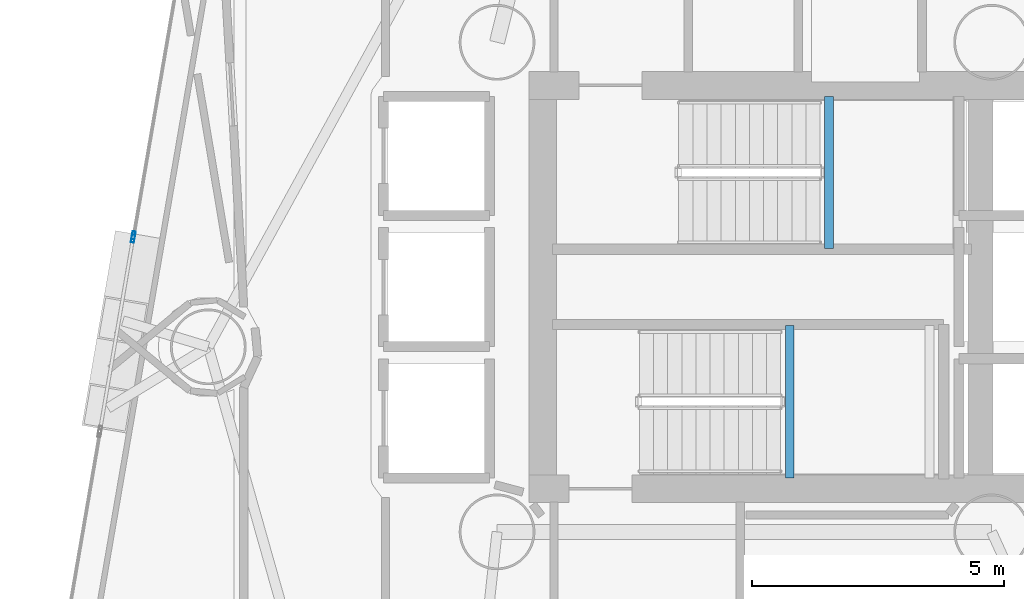
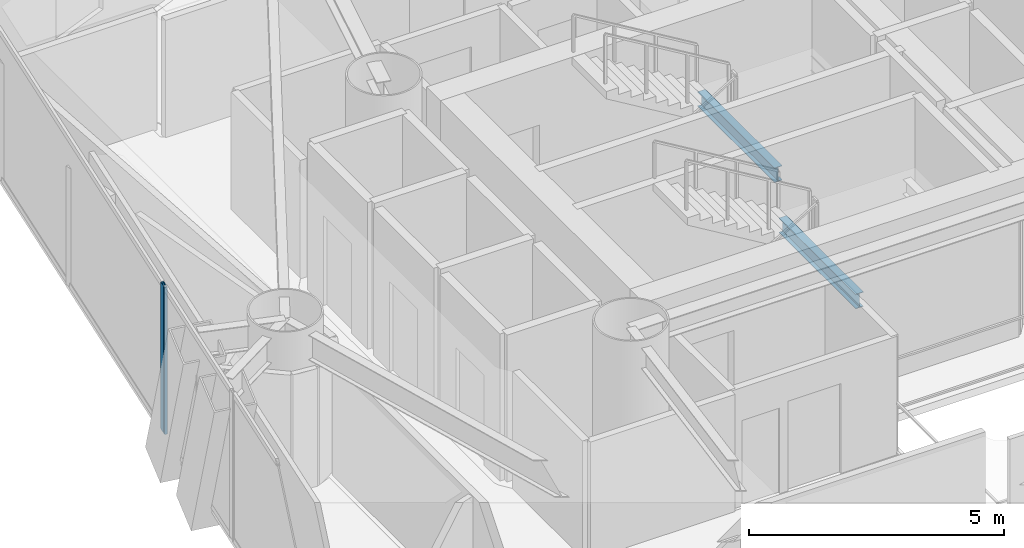
# One storey, part 8 of 21: 2 beams, 2 members, 2 elements without a shape of their own.
"""IFC4 building model written with IfcOpenShell, lengths in metres."""

from ifc_helpers import new_model, si_unit, direction, frame, origin, origin_2d, place, context, subcontext, project, spatial, hollow_rectangle, i_section, extrude, material, layer, layer_set, material_profile, profile_set, type_object, element, aggregate, save


model = new_model("IFC4")

# Units and contexts
model_context = context("Model", 3, precision=1e-05, world=origin(), true_north=direction((0.0, 1.0)))
body_context = subcontext(model_context, "Body", "Model", "MODEL_VIEW")
ifc_project = project(units=[si_unit("LENGTHUNIT", "METRE"), si_unit("AREAUNIT", "SQUARE_METRE"), si_unit("VOLUMEUNIT", "CUBIC_METRE"), si_unit("PLANEANGLEUNIT", "RADIAN"), si_unit("MASSUNIT", "GRAM", prefix="KILO")], contexts=[model_context])

# Site, building, storey
site_placement = place(None, origin())
site = spatial("IfcSite", under=ifc_project, at=site_placement, CompositionType="ELEMENT")
building_placement = place(site_placement, origin())
building = spatial("IfcBuilding", under=site, at=building_placement, Name="Qianvela Tower", CompositionType="ELEMENT")
storey_placement = place(building_placement, frame((0.0, 0.0, 108.89990234375)))
storey = spatial("IfcBuildingStorey", under=building, at=storey_placement, Name="L27", CompositionType="ELEMENT", Elevation=108.89990234375)

# Beams
ifc_material_1 = material(Name="Steel Q355B", Category="steel")
ifc_material_profile_1 = material_profile(ifc_material_1, i_section(OverallWidth=0.175048828125, OverallDepth=0.35009765625, WebThickness=0.007080078125, FlangeThickness=0.010986328125, at=origin_2d()), Name="HN350x175x7x11")
ifc_profile_set_1 = profile_set([ifc_material_profile_1], Name="Steel Q355B")
beam_type = type_object("IfcBeamType", Name="BM-HN350-JOIST", PredefinedType="JOIST", material=ifc_profile_set_1)
for number, where, z_axis, x_axis, name in (
    (1, (35.179931640625, 29.4599609375, 1.47509765625), (0.0, 1.0, 0.0), (-1.0, 0.0, 0.0), "L27 Stair ST-1 Landing Support Beam 1.1"),
    (2, (34.39990234375, 24.919921875, 1.47509765625), (0.0, 1.0, 0.0), (-1.0, 0.0, 0.0), "L27 Stair ST-2 Landing Support Beam 1.1"),
):
    element("IfcBeam", number, at=place(storey_placement, frame(where, z_axis=z_axis, x_axis=x_axis)), inside=storey, type_object=beam_type, Name=name, PredefinedType="JOIST", context=body_context, shape_type="SweptSolid", body=[
        extrude(i_section(OverallWidth=0.175048828125, OverallDepth=0.35009765625, WebThickness=0.007080078125, FlangeThickness=0.010986328125, at=origin_2d()), origin(), (0.0, 0.0, 1.0), 3.02001953125),
    ])

# Curtain wall, member
ifc_material_2 = material(Name="Anodised Architectural Aluminium and Insulated Spandrel Panel", Category="aluminium")
ifc_layer_1 = layer(ifc_material_2, 0.179931640625)
ifc_layer_set_1 = layer_set([ifc_layer_1], Name="Anodised Architectural Aluminium and Insulated Spandrel Panel")
curtain_wall_type_1 = type_object("IfcCurtainWallType", Name="CW-BRACEBAY", PredefinedType="USERDEFINED", material=ifc_layer_set_1)
curtain_wall_1_placement = place(storey_placement, origin())
curtain_wall_1 = element("IfcCurtainWall", 3, at=curtain_wall_1_placement, inside=storey, type_object=curtain_wall_type_1, Name="L27 CW-BRACEBAY Curtain Wall 04B", ObjectType="CURTAIN_WALL_SYSTEM", PredefinedType="USERDEFINED")
ifc_material_3 = material(Name="Anodised Architectural Aluminium 6063-T6", Category="aluminium")
ifc_material_profile_2 = material_profile(ifc_material_3, hollow_rectangle(XDim=0.06494140625, YDim=0.159912109375, WallThickness=0.0048828125, at=origin_2d()), Name="ALU-MULL-65x160")
ifc_profile_set_2 = profile_set([ifc_material_profile_2], Name="Anodised Architectural Aluminium 6063-T6")
member_type_1 = type_object("IfcMemberType", Name="CW-BRACEBAY-MULL", PredefinedType="MULLION", material=ifc_profile_set_2)
member_1_placement = place(storey_placement, frame((21.386962890625, 29.6611328125, 0.0), z_axis=(0.0, 0.0, 1.0), x_axis=(0.985527668132, -0.169514646408, 0.0)))
member_1 = element("IfcMember", 4, at=member_1_placement, type_object=member_type_1, Name="CW-9 mullion 1", PredefinedType="MULLION", context=body_context, shape_type="SweptSolid", body=[
    extrude(hollow_rectangle(XDim=0.06494140625, YDim=0.159912109375, WallThickness=0.0048828125, at=origin_2d()), origin(), (0.0, 0.0, 1.0), 3.52001953125),
])
aggregate(curtain_wall_1, [member_1])

ifc_material_4 = material(Name="Anodised Architectural Aluminium and Low-E Glass", Category="aluminium")
ifc_layer_2 = layer(ifc_material_4, 0.169921875)
ifc_layer_set_2 = layer_set([ifc_layer_2], Name="Anodised Architectural Aluminium and Low-E Glass")
curtain_wall_type_2 = type_object("IfcCurtainWallType", Name="CW-COLIV-Z34", PredefinedType="USERDEFINED", material=ifc_layer_set_2)
curtain_wall_2_placement = place(storey_placement, origin())
curtain_wall_2 = element("IfcCurtainWall", 5, at=curtain_wall_2_placement, inside=storey, type_object=curtain_wall_type_2, Name="L27 CW-COLIV-Z34 Curtain Wall 04A", ObjectType="CURTAIN_WALL_SYSTEM", PredefinedType="USERDEFINED")
ifc_material_5 = material(Name="Anodised Architectural Aluminium 6063-T6", Category="aluminium")
ifc_material_profile_3 = material_profile(ifc_material_5, hollow_rectangle(XDim=0.06494140625, YDim=0.159912109375, WallThickness=0.0048828125, at=origin_2d()), Name="ALU-MULL-65x160")
ifc_profile_set_3 = profile_set([ifc_material_profile_3], Name="Anodised Architectural Aluminium 6063-T6")
member_type_2 = type_object("IfcMemberType", Name="CW-COLIV-Z34-MULL", PredefinedType="MULLION", material=ifc_profile_set_3)
member_2_placement = place(storey_placement, frame((21.39794921875, 29.72509765625, 0.0), z_axis=(0.0, 0.0, 1.0), x_axis=(0.985526626885, -0.169520699916, 0.0)))
member_2 = element("IfcMember", 6, at=member_2_placement, type_object=member_type_2, Name="CW-4 mullion 2", PredefinedType="MULLION", context=body_context, shape_type="SweptSolid", body=[
    extrude(hollow_rectangle(XDim=0.06494140625, YDim=0.159912109375, WallThickness=0.0048828125, at=origin_2d()), origin(), (0.0, 0.0, 1.0), 3.52001953125),
])
aggregate(curtain_wall_2, [member_2])

save(model, "model.ifc")
